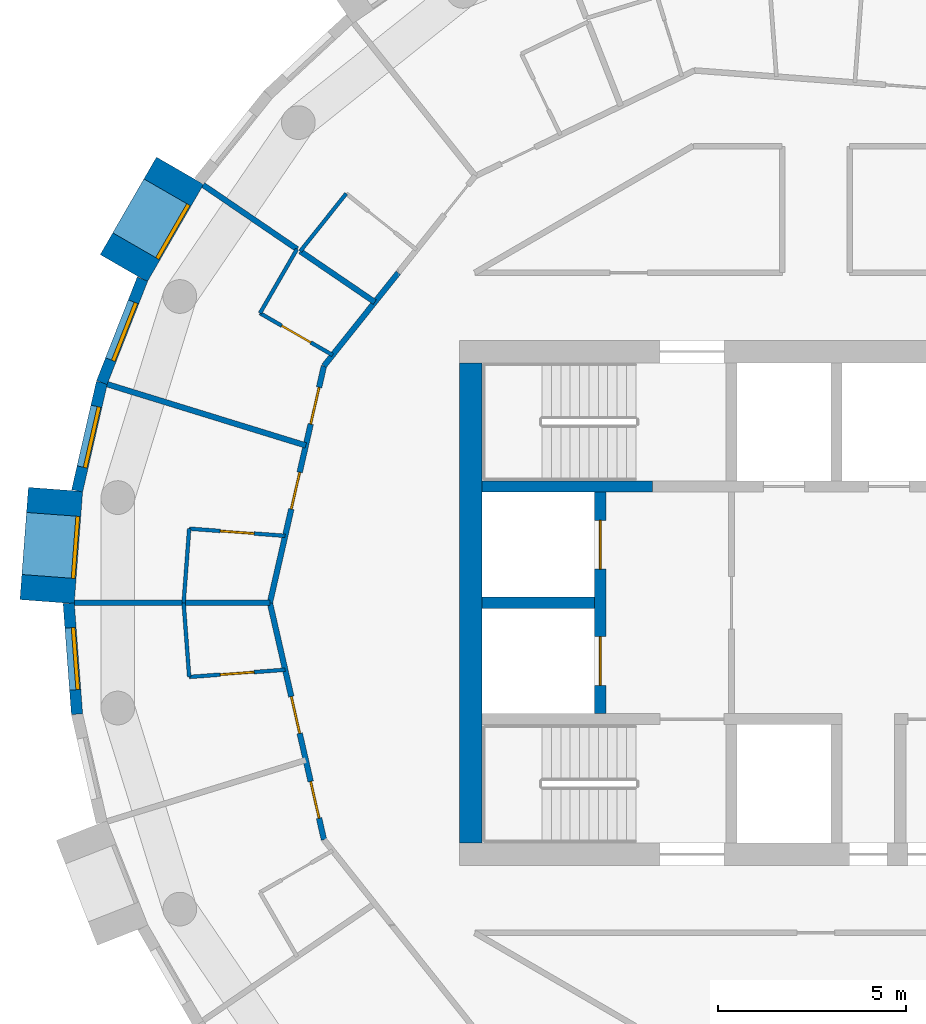
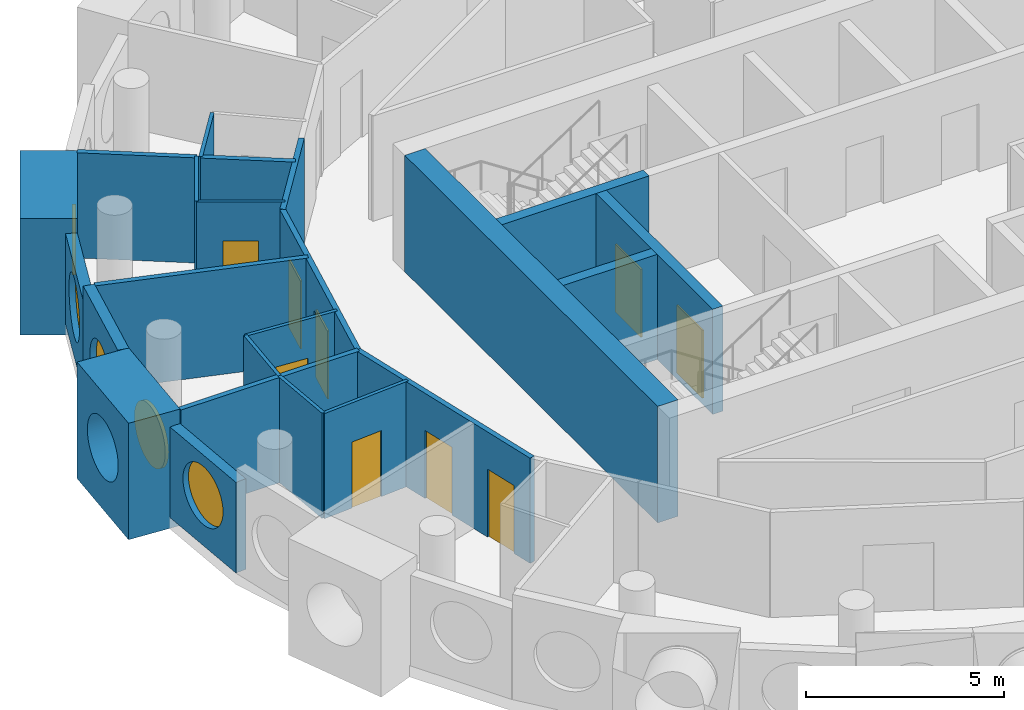
# One storey, part 5 of 12: 23 walls, 9 doors, 5 windows, 14 openings.
"""IFC4 building model written with IfcOpenShell, lengths in metres."""

from ifc_helpers import new_model, si_unit, direction, frame, frame_2d, origin, origin_2d, place, context, subcontext, project, spatial, rectangle, circle, extrude, material, layer, layer_set, type_object, element, fill, save


model = new_model("IFC4")

# Units and contexts
model_context = context("Model", 3, precision=1e-05, world=origin(), true_north=direction((0.0, 1.0)))
body_context = subcontext(model_context, "Body", "Model", "MODEL_VIEW")
ifc_project = project(units=[si_unit("LENGTHUNIT", "METRE"), si_unit("AREAUNIT", "SQUARE_METRE"), si_unit("VOLUMEUNIT", "CUBIC_METRE"), si_unit("PLANEANGLEUNIT", "RADIAN"), si_unit("MASSUNIT", "GRAM", prefix="KILO")], contexts=[model_context])

# Site, building, storey
site_placement = place(None, origin())
site = spatial("IfcSite", under=ifc_project, at=site_placement, CompositionType="ELEMENT")
building_placement = place(site_placement, origin())
building = spatial("IfcBuilding", under=site, at=building_placement, Name="Tracery Tower", CompositionType="ELEMENT")
storey_placement = place(building_placement, frame((0.0, 0.0, 305.39990234375)))
storey = spatial("IfcBuildingStorey", under=building, at=storey_placement, Name="L79", CompositionType="ELEMENT", Elevation=305.39990234375)

# Wall
ifc_material_1 = material(Name="Concrete C40/50", Category="concrete")
ifc_layer_1 = layer(ifc_material_1, 0.60009765625)
ifc_layer_set_1 = layer_set([ifc_layer_1], Name="Core wall 600 C40")
wall_type_1 = type_object("IfcWallType", Name="Core wall 600 C40", PredefinedType="SOLIDWALL", material=ifc_layer_set_1)
wall_1_placement = place(storey_placement, frame((-9.199951171875, -6.39990234375, 0.0), z_axis=(0.0, 0.0, 1.0), x_axis=(0.0, 1.0, 0.0)))
element("IfcWall", 1, at=wall_1_placement, inside=storey, type_object=wall_type_1, Name="L79 outer W", PredefinedType="SOLIDWALL", context=body_context, shape_type="SweptSolid", body=[
    extrude(rectangle(XDim=12.7998046875, YDim=0.60009765625, at=frame_2d((6.39990234375, 0.0))), origin(), (0.0, 0.0, 1.0), 3.60009765625),
])

# Wall, opening, window
ifc_material_2 = material(Name="Precast concrete C50/60", Category="concrete")
ifc_layer_2 = layer(ifc_material_2, 1.449951171875)
ifc_layer_set_2 = layer_set([ifc_layer_2], Name="Deep-set bay unit 3000 x 3600, slab edge 350")
wall_type_2 = type_object("IfcWallType", Name="Deep-set bay unit 3000 x 3600, slab edge 350", PredefinedType="ELEMENTEDWALL", material=ifc_layer_set_2)
wall_2_placement = place(storey_placement, frame((-16.952392578125, 11.51953125, -0.349853515625), z_axis=(0.0, 0.0, 1.0), x_axis=(-0.499990139034, -0.866031096941, 0.0)))
wall_2 = element("IfcWall", 2, at=wall_2_placement, inside=storey, type_object=wall_type_2, Name="Deep-set bay unit 18 at L79", PredefinedType="ELEMENTEDWALL", context=body_context, shape_type="SweptSolid", body=[
    extrude(rectangle(XDim=3.0, YDim=1.449951171875, at=frame_2d((1.5, 0.0))), origin(), (0.0, 0.0, 1.0), 3.599853515625),
])
opening_1_placement = place(wall_2_placement, frame((1.5, 0.0, 1.89990234375)))
opening_1 = element("IfcOpeningElement", 3, at=opening_1_placement, cuts=wall_2, Name="Opening WN1", PredefinedType="OPENING", context=body_context, shape_type="SweptSolid", body=[
    extrude(circle(Radius=0.9000244140625, at=origin_2d()), frame((0.0, 0.73486328125, 0.0), z_axis=(0.0, -1.0, 0.0), x_axis=(1.0, 0.0, 0.0)), (0.0, 0.0, 1.0), 1.469970703125),
])
ifc_material_3 = material(Name="Aluminium frame with tinted double glazing", Category="aluminium")
window_type = type_object("IfcWindowType", Name="Round window 1800", PartitioningType="SINGLE_PANEL", PredefinedType="WINDOW", material=ifc_material_3)
window_1_placement = place(opening_1_placement, origin())
window_1 = element("IfcWindow", 4, at=window_1_placement, inside=storey, type_object=window_type, Name="Round window 18 at L79", OverallHeight=1.800048828125, OverallWidth=1.800048828125, PartitioningType="SINGLE_PANEL", PredefinedType="WINDOW", context=body_context, shape_type="SweptSolid", body=[
    extrude(circle(Radius=0.9000244140625, at=origin_2d()), frame((0.0, 0.69482421875, 0.0), z_axis=(0.0, -1.0, 0.0), x_axis=(1.0, 0.0, 0.0)), (0.0, 0.0, 1.0), 0.10009765625),
])
fill(opening_1, window_1)

wall_3_placement = place(storey_placement, frame((-20.271728515625, 3.0234375, -0.349853515625), z_axis=(0.0, 0.0, 1.0), x_axis=(-0.074785902127, -0.997199613339, 0.0)))
wall_3 = element("IfcWall", 5, at=wall_3_placement, inside=storey, type_object=wall_type_2, Name="Deep-set bay unit 21 at L79", PredefinedType="ELEMENTEDWALL", context=body_context, shape_type="SweptSolid", body=[
    extrude(rectangle(XDim=3.0, YDim=1.449951171875, at=frame_2d((1.5, 0.0))), origin(), (0.0, 0.0, 1.0), 3.599853515625),
])
opening_2_placement = place(wall_3_placement, frame((1.5, 0.0, 1.89990234375)))
opening_2 = element("IfcOpeningElement", 6, at=opening_2_placement, cuts=wall_3, Name="Opening WN1", PredefinedType="OPENING", context=body_context, shape_type="SweptSolid", body=[
    extrude(circle(Radius=0.9000244140625, at=origin_2d()), frame((0.0, 0.73486328125, 0.0), z_axis=(0.0, -1.0, 0.0), x_axis=(1.0, 0.0, 0.0)), (0.0, 0.0, 1.0), 1.469970703125),
])
window_2_placement = place(opening_2_placement, origin())
window_2 = element("IfcWindow", 7, at=window_2_placement, inside=storey, type_object=window_type, Name="Round window 21 at L79", OverallHeight=1.800048828125, OverallWidth=1.800048828125, PartitioningType="SINGLE_PANEL", PredefinedType="WINDOW", context=body_context, shape_type="SweptSolid", body=[
    extrude(circle(Radius=0.9000244140625, at=origin_2d()), frame((0.0, 0.69482421875, 0.0), z_axis=(0.0, -1.0, 0.0), x_axis=(1.0, 0.0, 0.0)), (0.0, 0.0, 1.0), 0.10009765625),
])
fill(opening_2, window_2)

ifc_material_4 = material(Name="Precast concrete C50/60", Category="concrete")
ifc_layer_3 = layer(ifc_material_4, 0.300048828125)
ifc_layer_set_3 = layer_set([ifc_layer_3], Name="Facade panel 3000 x 2800")
wall_type_3 = type_object("IfcWallType", Name="Facade panel 3000 x 2800", PredefinedType="SOLIDWALL", material=ifc_layer_set_3)
wall_4_placement = place(storey_placement, frame((-17.95458984375, 8.62939453125, 0.0), z_axis=(0.0, 0.0, 1.0), x_axis=(-0.36530043032, -0.930889679612, 0.0)))
wall_4 = element("IfcWall", 8, at=wall_4_placement, inside=storey, type_object=wall_type_3, Name="Facade panel 19 at L79", PredefinedType="SOLIDWALL", context=body_context, shape_type="SweptSolid", body=[
    extrude(rectangle(XDim=2.9619140625, YDim=0.300048828125, at=frame_2d((1.48095703125, 0.0))), origin(), (0.0, 0.0, 1.0), 2.800048828125),
])
opening_3_placement = place(wall_4_placement, frame((1.48095703125, 0.0, 1.5498046875)))
opening_3 = element("IfcOpeningElement", 9, at=opening_3_placement, cuts=wall_4, Name="Opening WN1", PredefinedType="OPENING", context=body_context, shape_type="SweptSolid", body=[
    extrude(circle(Radius=0.9000244140625, at=origin_2d()), frame((0.0, 0.159912109375, 0.0), z_axis=(0.0, -1.0, 0.0), x_axis=(1.0, 0.0, 0.0)), (0.0, 0.0, 1.0), 0.320068359375),
])
window_3_placement = place(opening_3_placement, origin())
window_3 = element("IfcWindow", 10, at=window_3_placement, inside=storey, type_object=window_type, Name="Round window 19 at L79", OverallHeight=1.800048828125, OverallWidth=1.800048828125, PartitioningType="SINGLE_PANEL", PredefinedType="WINDOW", context=body_context, shape_type="SweptSolid", body=[
    extrude(circle(Radius=0.9000244140625, at=origin_2d()), frame((0.0, 0.1201171875, 0.0), z_axis=(0.0, -1.0, 0.0), x_axis=(1.0, 0.0, 0.0)), (0.0, 0.0, 1.0), 0.10009765625),
])
fill(opening_3, window_3)

wall_5_placement = place(storey_placement, frame((-19.920654296875, -0.01513671875, 0.0), z_axis=(0.0, 0.0, 1.0), x_axis=(0.07474897196, -0.997202382263, 0.0)))
wall_5 = element("IfcWall", 11, at=wall_5_placement, inside=storey, type_object=wall_type_3, Name="Facade panel 22 at L79", PredefinedType="SOLIDWALL", context=body_context, shape_type="SweptSolid", body=[
    extrude(rectangle(XDim=2.96240234375, YDim=0.300048828125, at=frame_2d((1.481201171875, 0.0))), origin(), (0.0, 0.0, 1.0), 2.800048828125),
])
opening_4_placement = place(wall_5_placement, frame((1.48095703125, 0.0, 1.5498046875)))
opening_4 = element("IfcOpeningElement", 12, at=opening_4_placement, cuts=wall_5, Name="Opening WN1", PredefinedType="OPENING", context=body_context, shape_type="SweptSolid", body=[
    extrude(circle(Radius=0.9000244140625, at=origin_2d()), frame((0.0, 0.159912109375, 0.0), z_axis=(0.0, -1.0, 0.0), x_axis=(1.0, 0.0, 0.0)), (0.0, 0.0, 1.0), 0.320068359375),
])
window_4_placement = place(opening_4_placement, origin())
window_4 = element("IfcWindow", 13, at=window_4_placement, inside=storey, type_object=window_type, Name="Round window 22 at L79", OverallHeight=1.800048828125, OverallWidth=1.800048828125, PartitioningType="SINGLE_PANEL", PredefinedType="WINDOW", context=body_context, shape_type="SweptSolid", body=[
    extrude(circle(Radius=0.9000244140625, at=origin_2d()), frame((0.0, 0.1201171875, 0.0), z_axis=(0.0, -1.0, 0.0), x_axis=(1.0, 0.0, 0.0)), (0.0, 0.0, 1.0), 0.10009765625),
])
fill(opening_4, window_4)

ifc_material_5 = material(Name="Precast concrete C50/60", Category="concrete")
ifc_layer_4 = layer(ifc_material_5, 0.300048828125)
ifc_layer_set_4 = layer_set([ifc_layer_4], Name="Facade panel 3000 x 3250")
wall_type_4 = type_object("IfcWallType", Name="Facade panel 3000 x 3250", PredefinedType="SOLIDWALL", material=ifc_layer_set_4)
wall_6_placement = place(storey_placement, frame((-19.03662109375, 5.8720703125, 0.0), z_axis=(0.0, 0.0, 1.0), x_axis=(-0.222529389789, -0.974925982155, 0.0)))
wall_6 = element("IfcWall", 14, at=wall_6_placement, inside=storey, type_object=wall_type_4, Name="Facade panel 20 at L79", PredefinedType="SOLIDWALL", context=body_context, shape_type="SweptSolid", body=[
    extrude(rectangle(XDim=2.962158203125, YDim=0.300048828125, at=frame_2d((1.48095703125, 0.0))), origin(), (0.0, 0.0, 1.0), 3.25),
])
opening_5_placement = place(wall_6_placement, frame((1.48095703125, 0.0, 1.5498046875)))
opening_5 = element("IfcOpeningElement", 15, at=opening_5_placement, cuts=wall_6, Name="Opening WN1", PredefinedType="OPENING", context=body_context, shape_type="SweptSolid", body=[
    extrude(circle(Radius=0.9000244140625, at=origin_2d()), frame((0.0, 0.159912109375, 0.0), z_axis=(0.0, -1.0, 0.0), x_axis=(1.0, 0.0, 0.0)), (0.0, 0.0, 1.0), 0.320068359375),
])
window_5_placement = place(opening_5_placement, origin())
window_5 = element("IfcWindow", 16, at=window_5_placement, inside=storey, type_object=window_type, Name="Round window 20 at L79", OverallHeight=1.800048828125, OverallWidth=1.800048828125, PartitioningType="SINGLE_PANEL", PredefinedType="WINDOW", context=body_context, shape_type="SweptSolid", body=[
    extrude(circle(Radius=0.9000244140625, at=origin_2d()), frame((0.0, 0.1201171875, 0.0), z_axis=(0.0, -1.0, 0.0), x_axis=(1.0, 0.0, 0.0)), (0.0, 0.0, 1.0), 0.10009765625),
])
fill(opening_5, window_5)

# Walls
ifc_material_6 = material(Name="Plasterboard on steel studs", Category="steel")
ifc_layer_5 = layer(ifc_material_6, 0.10009765625)
ifc_layer_set_5 = layer_set([ifc_layer_5], Name="Partition 100 wet wall")
wall_type_5 = type_object("IfcWallType", Name="Partition 100 wet wall", PredefinedType="PARTITIONING", material=ifc_layer_set_5)
wall_7_placement = place(storey_placement, frame((-13.7470703125, 9.373046875, 0.0), z_axis=(0.0, 0.0, 1.0), x_axis=(0.623330716607, 0.781958322249, 0.0)))
element("IfcWall", 17, at=wall_7_placement, inside=storey, type_object=wall_type_5, Name="Wet wall RC8-070", PredefinedType="PARTITIONING", context=body_context, shape_type="SweptSolid", body=[
    extrude(rectangle(XDim=1.96533203125, YDim=0.10009765625, at=frame_2d((0.982666015625, 0.0))), origin(), (0.0, 0.0, 1.0), 3.25),
])
wall_8_placement = place(storey_placement, frame((-14.820068359375, 7.721923828125, 0.0), z_axis=(0.0, 0.0, 1.0), x_axis=(0.500143626598, 0.865942465048, 0.0)))
element("IfcWall", 18, at=wall_8_placement, inside=storey, type_object=wall_type_5, Name="Wet wall RC8-073", PredefinedType="PARTITIONING", context=body_context, shape_type="SweptSolid", body=[
    extrude(rectangle(XDim=1.9736328125, YDim=0.10009765625, at=frame_2d((0.98681640625, 0.0))), origin(), (0.0, 0.0, 1.0), 3.25),
])

# Wall, opening, door
wall_9_placement = place(storey_placement, frame((-14.820068359375, 7.721923828125, 0.0), z_axis=(0.0, 0.0, 1.0), x_axis=(0.866076416361, -0.499911633214, 0.0)))
wall_9 = element("IfcWall", 19, at=wall_9_placement, inside=storey, type_object=wall_type_5, Name="Wet wall RC8-074", PredefinedType="PARTITIONING", context=body_context, shape_type="SweptSolid", body=[
    extrude(rectangle(XDim=2.234375, YDim=0.10009765625, at=frame_2d((1.1171875, 0.0))), origin(), (0.0, 0.0, 1.0), 3.25),
])
opening_6_placement = place(wall_9_placement, frame((0.6669921875, 0.0, 0.0)))
opening_6 = element("IfcOpeningElement", 20, at=opening_6_placement, cuts=wall_9, Name="Opening RC8-21", PredefinedType="OPENING", context=body_context, shape_type="SweptSolid", body=[
    extrude(rectangle(XDim=0.89990234375, YDim=2.0400390625, at=frame_2d((0.449951171875, 1.02001953125))), frame((0.0, 0.050048828125, 0.0), z_axis=(0.0, -1.0, 0.0), x_axis=(1.0, 0.0, 0.0)), (0.0, 0.0, 1.0), 0.10009765625),
])
ifc_material_7 = material(Name="Timber door leaf", Category="wood")
door_type_1 = type_object("IfcDoorType", Name="Door en-suite 900", OperationType="NOTDEFINED", PredefinedType="DOOR", material=ifc_material_7)
door_1_placement = place(opening_6_placement, origin())
door_1 = element("IfcDoor", 21, at=door_1_placement, inside=storey, type_object=door_type_1, Name="En-suite door RC8-21", OperationType="SINGLE_SWING_LEFT", OverallHeight=2.0400390625, OverallWidth=0.89990234375, PredefinedType="DOOR", context=body_context, shape_type="SweptSolid", body=[
    extrude(rectangle(XDim=0.89990234375, YDim=2.0400390625, at=frame_2d((0.449951171875, 1.02001953125))), frame((0.0, 0.02490234375, 0.0), z_axis=(0.0, -1.0, 0.0), x_axis=(1.0, 0.0, 0.0)), (0.0, 0.0, 1.0), 0.050048828125),
])
fill(opening_6, door_1)

wall_10_placement = place(storey_placement, frame((-16.7080078125, 1.97705078125, 0.0), z_axis=(0.0, 0.0, 1.0), x_axis=(0.997193275785, -0.074870359477, 0.0)))
wall_10 = element("IfcWall", 22, at=wall_10_placement, inside=storey, type_object=wall_type_5, Name="Wet wall RC8-076", PredefinedType="PARTITIONING", context=body_context, shape_type="SweptSolid", body=[
    extrude(rectangle(XDim=2.56640625, YDim=0.10009765625, at=frame_2d((1.283203125, 0.0))), origin(), (0.0, 0.0, 1.0), 3.25),
])
opening_7_placement = place(wall_10_placement, frame((0.833251953125, 0.0, 0.0)))
opening_7 = element("IfcOpeningElement", 23, at=opening_7_placement, cuts=wall_10, Name="Opening RC8-23", PredefinedType="OPENING", context=body_context, shape_type="SweptSolid", body=[
    extrude(rectangle(XDim=0.89990234375, YDim=2.0400390625, at=frame_2d((0.449951171875, 1.02001953125))), frame((0.0, 0.050048828125, 0.0), z_axis=(0.0, -1.0, 0.0), x_axis=(1.0, 0.0, 0.0)), (0.0, 0.0, 1.0), 0.10009765625),
])
door_2_placement = place(opening_7_placement, origin())
door_2 = element("IfcDoor", 24, at=door_2_placement, inside=storey, type_object=door_type_1, Name="En-suite door RC8-23", OperationType="SINGLE_SWING_LEFT", OverallHeight=2.0400390625, OverallWidth=0.89990234375, PredefinedType="DOOR", context=body_context, shape_type="SweptSolid", body=[
    extrude(rectangle(XDim=0.89990234375, YDim=2.0400390625, at=frame_2d((0.449951171875, 1.02001953125))), frame((0.0, 0.02490234375, 0.0), z_axis=(0.0, -1.0, 0.0), x_axis=(1.0, 0.0, 0.0)), (0.0, 0.0, 1.0), 0.050048828125),
])
fill(opening_7, door_2)

# Walls
for number, where, z_axis, x_axis, name in (
    (25, (-16.85595703125, 0.0, 0.0), (0.0, 0.0, 1.0), (0.074624634103, 0.997211694669, 0.0), "Wet wall RC8-077"),
    (26, (-16.85595703125, 0.0, 0.0), (0.0, 0.0, 1.0), (0.074624634103, -0.997211694669, 0.0), "Wet wall RC8-079"),
):
    element("IfcWall", number, at=place(storey_placement, frame(where, z_axis=z_axis, x_axis=x_axis)), inside=storey, type_object=wall_type_5, Name=name, PredefinedType="PARTITIONING", context=body_context, shape_type="SweptSolid", body=[
        extrude(rectangle(XDim=1.982666015625, YDim=0.10009765625, at=frame_2d((0.9912109375, 0.0))), origin(), (0.0, 0.0, 1.0), 3.25),
    ])

# Wall, opening, door
wall_11_placement = place(storey_placement, frame((-16.7080078125, -1.97705078125, 0.0), z_axis=(0.0, 0.0, 1.0), x_axis=(0.997193275785, 0.074870359477, 0.0)))
wall_11 = element("IfcWall", 27, at=wall_11_placement, inside=storey, type_object=wall_type_5, Name="Wet wall RC8-080", PredefinedType="PARTITIONING", context=body_context, shape_type="SweptSolid", body=[
    extrude(rectangle(XDim=2.56640625, YDim=0.10009765625, at=frame_2d((1.283203125, 0.0))), origin(), (0.0, 0.0, 1.0), 3.25),
])
opening_8_placement = place(wall_11_placement, frame((0.8330078125, 0.0, 0.0)))
opening_8 = element("IfcOpeningElement", 28, at=opening_8_placement, cuts=wall_11, Name="Opening RC8-25", PredefinedType="OPENING", context=body_context, shape_type="SweptSolid", body=[
    extrude(rectangle(XDim=0.89990234375, YDim=2.0400390625, at=frame_2d((0.449951171875, 1.02001953125))), frame((0.0, 0.050048828125, 0.0), z_axis=(0.0, -1.0, 0.0), x_axis=(1.0, 0.0, 0.0)), (0.0, 0.0, 1.0), 0.10009765625),
])
door_3_placement = place(opening_8_placement, origin())
door_3 = element("IfcDoor", 29, at=door_3_placement, inside=storey, type_object=door_type_1, Name="En-suite door RC8-25", OperationType="SINGLE_SWING_LEFT", OverallHeight=2.0400390625, OverallWidth=0.89990234375, PredefinedType="DOOR", context=body_context, shape_type="SweptSolid", body=[
    extrude(rectangle(XDim=0.89990234375, YDim=2.0400390625, at=frame_2d((0.449951171875, 1.02001953125))), frame((0.0, 0.02490234375, 0.0), z_axis=(0.0, -1.0, 0.0), x_axis=(1.0, 0.0, 0.0)), (0.0, 0.0, 1.0), 0.050048828125),
])
fill(opening_8, door_3)

# Walls
ifc_material_8 = material(Name="Plasterboard on steel studs", Category="steel")
ifc_layer_6 = layer(ifc_material_8, 0.14990234375)
ifc_layer_set_6 = layer_set([ifc_layer_6], Name="Partition 150 acoustic unit wall")
wall_type_6 = type_object("IfcWallType", Name="Partition 150 acoustic unit wall", PredefinedType="PARTITIONING", material=ifc_layer_set_6)
wall_12_placement = place(storey_placement, frame((-16.3359375, 11.137939453125, 0.0), z_axis=(0.0, 0.0, 1.0), x_axis=(0.826159220299, -0.563436724678, 0.0)))
element("IfcWall", 30, at=wall_12_placement, inside=storey, type_object=wall_type_6, Name="Unit wall RC8-071", PredefinedType="PARTITIONING", context=body_context, shape_type="SweptSolid", body=[
    extrude(rectangle(XDim=3.033203125, YDim=0.14990234375, at=frame_2d((1.5166015625, 0.0))), origin(), (0.0, 0.0, 1.0), 3.25),
])
wall_13_placement = place(storey_placement, frame((-13.7470703125, 9.373046875, 0.0), z_axis=(0.0, 0.0, 1.0), x_axis=(0.826135036312, -0.563472183677, 0.0)))
element("IfcWall", 31, at=wall_13_placement, inside=storey, type_object=wall_type_6, Name="Unit wall RC8-072", PredefinedType="PARTITIONING", context=body_context, shape_type="SweptSolid", body=[
    extrude(rectangle(XDim=2.406494140625, YDim=0.14990234375, at=frame_2d((1.203125, 0.0))), origin(), (0.0, 0.0, 1.0), 3.25),
])
wall_14_placement = place(storey_placement, frame((-18.89306640625, 5.827880859375, 0.0), z_axis=(0.0, 0.0, 1.0), x_axis=(0.955580602693, -0.294729896274, 0.0)))
element("IfcWall", 32, at=wall_14_placement, inside=storey, type_object=wall_type_6, Name="Unit wall RC8-075", PredefinedType="PARTITIONING", context=body_context, shape_type="SweptSolid", body=[
    extrude(rectangle(XDim=5.5400390625, YDim=0.14990234375, at=frame_2d((2.77001953125, 0.0))), origin(), (0.0, 0.0, 1.0), 3.25),
])
wall_15_placement = place(storey_placement, frame((-19.77099609375, 0.0, 0.0), z_axis=(0.0, 0.0, 1.0), x_axis=(1.0, 0.0, 0.0)))
element("IfcWall", 33, at=wall_15_placement, inside=storey, type_object=wall_type_6, Name="Unit wall RC8-078", PredefinedType="PARTITIONING", context=body_context, shape_type="SweptSolid", body=[
    extrude(rectangle(XDim=5.214111328125, YDim=0.14990234375, at=frame_2d((2.60693359375, 0.0))), origin(), (0.0, 0.0, 1.0), 3.25),
])
ifc_material_9 = material(Name="Plasterboard on steel studs", Category="steel")
ifc_layer_7 = layer(ifc_material_9, 0.14990234375)
ifc_layer_set_7 = layer_set([ifc_layer_7], Name="Partition 150 corridor wall")
wall_type_7 = type_object("IfcWallType", Name="Partition 150 corridor wall", PredefinedType="PARTITIONING", material=ifc_layer_set_7)
wall_16_placement = place(storey_placement, frame((-13.115234375, 6.316162109375, 0.0), z_axis=(0.0, 0.0, 1.0), x_axis=(0.623560523309, 0.781775078761, 0.0)))
element("IfcWall", 34, at=wall_16_placement, inside=storey, type_object=wall_type_7, Name="Corridor wall RC8-033", PredefinedType="PARTITIONING", context=body_context, shape_type="SweptSolid", body=[
    extrude(rectangle(XDim=3.17724609375, YDim=0.14990234375, at=frame_2d((1.588623046875, 0.0))), origin(), (0.0, 0.0, 1.0), 3.25),
])

# Wall, openings, doors
wall_17_placement = place(storey_placement, frame((-14.556640625, 0.0, 0.0), z_axis=(0.0, 0.0, 1.0), x_axis=(0.222533159771, 0.974925121639, 0.0)))
wall_17 = element("IfcWall", 35, at=wall_17_placement, inside=storey, type_object=wall_type_7, Name="Corridor wall RC8-034", PredefinedType="PARTITIONING", context=body_context, shape_type="SweptSolid", body=[
    extrude(rectangle(XDim=6.478271484375, YDim=0.14990234375, at=frame_2d((3.2392578125, 0.0))), origin(), (0.0, 0.0, 1.0), 3.25),
])
opening_9_placement = place(wall_17_placement, frame((4.888916015625, 0.0, 0.0)))
opening_9 = element("IfcOpeningElement", 36, at=opening_9_placement, cuts=wall_17, Name="Opening RC8-22", PredefinedType="OPENING", context=body_context, shape_type="SweptSolid", body=[
    extrude(rectangle(XDim=1.0, YDim=2.10009765625, at=frame_2d((0.5, 1.050048828125))), frame((0.0, 0.074951171875, 0.0), z_axis=(0.0, -1.0, 0.0), x_axis=(1.0, 0.0, 0.0)), (0.0, 0.0, 1.0), 0.14990234375),
])
opening_10_placement = place(wall_17_placement, frame((2.56689453125, 0.0, 0.0)))
opening_10 = element("IfcOpeningElement", 37, at=opening_10_placement, cuts=wall_17, Name="Opening RC8-24", PredefinedType="OPENING", context=body_context, shape_type="SweptSolid", body=[
    extrude(rectangle(XDim=1.0, YDim=2.10009765625, at=frame_2d((0.5, 1.050048828125))), frame((0.0, 0.074951171875, 0.0), z_axis=(0.0, -1.0, 0.0), x_axis=(1.0, 0.0, 0.0)), (0.0, 0.0, 1.0), 0.14990234375),
])
ifc_material_10 = material(Name="Timber door leaf", Category="wood")
door_type_2 = type_object("IfcDoorType", Name="Door unit entrance 1000", OperationType="NOTDEFINED", PredefinedType="DOOR", material=ifc_material_10)
door_4_placement = place(opening_9_placement, origin())
door_4 = element("IfcDoor", 38, at=door_4_placement, inside=storey, type_object=door_type_2, Name="Unit entrance door RC8-22", OperationType="SINGLE_SWING_RIGHT", OverallHeight=2.10009765625, OverallWidth=1.0, PredefinedType="DOOR", context=body_context, shape_type="SweptSolid", body=[
    extrude(rectangle(XDim=1.0, YDim=2.10009765625, at=frame_2d((0.5, 1.050048828125))), frame((0.0, 0.02490234375, 0.0), z_axis=(0.0, -1.0, 0.0), x_axis=(1.0, 0.0, 0.0)), (0.0, 0.0, 1.0), 0.050048828125),
])
fill(opening_9, door_4)
door_5_placement = place(opening_10_placement, origin())
door_5 = element("IfcDoor", 39, at=door_5_placement, inside=storey, type_object=door_type_2, Name="Unit entrance door RC8-24", OperationType="SINGLE_SWING_LEFT", OverallHeight=2.10009765625, OverallWidth=1.0, PredefinedType="DOOR", context=body_context, shape_type="SweptSolid", body=[
    extrude(rectangle(XDim=1.0, YDim=2.10009765625, at=frame_2d((0.5, 1.050048828125))), frame((0.0, 0.02490234375, 0.0), z_axis=(0.0, -1.0, 0.0), x_axis=(1.0, 0.0, 0.0)), (0.0, 0.0, 1.0), 0.050048828125),
])
fill(opening_10, door_5)

wall_18_placement = place(storey_placement, frame((-14.556640625, 0.0, 0.0), z_axis=(0.0, 0.0, 1.0), x_axis=(0.222568978642, -0.97491694505, 0.0)))
wall_18 = element("IfcWall", 40, at=wall_18_placement, inside=storey, type_object=wall_type_7, Name="Corridor wall RC8-035", PredefinedType="PARTITIONING", context=body_context, shape_type="SweptSolid", body=[
    extrude(rectangle(XDim=6.478515625, YDim=0.14990234375, at=frame_2d((3.2392578125, 0.0))), origin(), (0.0, 0.0, 1.0), 3.25),
])
opening_11_placement = place(wall_18_placement, frame((2.567138671875, 0.0, 0.0)))
opening_11 = element("IfcOpeningElement", 41, at=opening_11_placement, cuts=wall_18, Name="Opening RC8-26", PredefinedType="OPENING", context=body_context, shape_type="SweptSolid", body=[
    extrude(rectangle(XDim=1.0, YDim=2.10009765625, at=frame_2d((0.5, 1.050048828125))), frame((0.0, 0.074951171875, 0.0), z_axis=(0.0, -1.0, 0.0), x_axis=(1.0, 0.0, 0.0)), (0.0, 0.0, 1.0), 0.14990234375),
])
opening_12_placement = place(wall_18_placement, frame((4.888427734375, 0.0, 0.0)))
opening_12 = element("IfcOpeningElement", 42, at=opening_12_placement, cuts=wall_18, Name="Opening RC8-28", PredefinedType="OPENING", context=body_context, shape_type="SweptSolid", body=[
    extrude(rectangle(XDim=1.0, YDim=2.10009765625, at=frame_2d((0.5, 1.050048828125))), frame((0.0, 0.074951171875, 0.0), z_axis=(0.0, -1.0, 0.0), x_axis=(1.0, 0.0, 0.0)), (0.0, 0.0, 1.0), 0.14990234375),
])
door_6_placement = place(opening_11_placement, origin())
door_6 = element("IfcDoor", 43, at=door_6_placement, inside=storey, type_object=door_type_2, Name="Unit entrance door RC8-26", OperationType="SINGLE_SWING_LEFT", OverallHeight=2.10009765625, OverallWidth=1.0, PredefinedType="DOOR", context=body_context, shape_type="SweptSolid", body=[
    extrude(rectangle(XDim=1.0, YDim=2.10009765625, at=frame_2d((0.5, 1.050048828125))), frame((0.0, 0.02490234375, 0.0), z_axis=(0.0, -1.0, 0.0), x_axis=(1.0, 0.0, 0.0)), (0.0, 0.0, 1.0), 0.050048828125),
])
fill(opening_11, door_6)
door_7_placement = place(opening_12_placement, origin())
door_7 = element("IfcDoor", 44, at=door_7_placement, inside=storey, type_object=door_type_2, Name="Unit entrance door RC8-28", OperationType="SINGLE_SWING_RIGHT", OverallHeight=2.10009765625, OverallWidth=1.0, PredefinedType="DOOR", context=body_context, shape_type="SweptSolid", body=[
    extrude(rectangle(XDim=1.0, YDim=2.10009765625, at=frame_2d((0.5, 1.050048828125))), frame((0.0, 0.02490234375, 0.0), z_axis=(0.0, -1.0, 0.0), x_axis=(1.0, 0.0, 0.0)), (0.0, 0.0, 1.0), 0.050048828125),
])
fill(opening_12, door_7)

# Wall
ifc_material_11 = material(Name="Concrete C40/50", Category="concrete")
ifc_layer_8 = layer(ifc_material_11, 0.300048828125)
ifc_layer_set_8 = layer_set([ifc_layer_8], Name="Shaft wall 300 C40")
wall_type_8 = type_object("IfcWallType", Name="Shaft wall 300 C40", PredefinedType="SOLIDWALL", material=ifc_layer_set_8)
wall_19_placement = place(storey_placement, frame((-8.89990234375, 0.0, 0.0), z_axis=(0.0, 0.0, 1.0), x_axis=(1.0, 0.0, 0.0)))
element("IfcWall", 45, at=wall_19_placement, inside=storey, type_object=wall_type_8, Name="L79 FF split", PredefinedType="SOLIDWALL", context=body_context, shape_type="SweptSolid", body=[
    extrude(rectangle(XDim=3.0, YDim=0.300048828125, at=frame_2d((1.5, 0.0))), origin(), (0.0, 0.0, 1.0), 3.25),
])

# Wall, openings, doors
wall_20_placement = place(storey_placement, frame((-5.75, -2.949951171875, 0.0), z_axis=(0.0, 0.0, 1.0), x_axis=(0.0, 1.0, 0.0)))
wall_20 = element("IfcWall", 46, at=wall_20_placement, inside=storey, type_object=wall_type_8, Name="L79 FF doors", PredefinedType="SOLIDWALL", context=body_context, shape_type="SweptSolid", body=[
    extrude(rectangle(XDim=5.89990234375, YDim=0.300048828125, at=frame_2d((2.949951171875, 0.0))), origin(), (0.0, 0.0, 1.0), 3.25),
])
opening_13_placement = place(wall_20_placement, frame((0.75, 0.0, 0.0)))
opening_13 = element("IfcOpeningElement", 47, at=opening_13_placement, cuts=wall_20, Name="Opening KD54", PredefinedType="OPENING", context=body_context, shape_type="SweptSolid", body=[
    extrude(rectangle(XDim=1.300048828125, YDim=2.10009765625, at=frame_2d((0.64990234375, 1.050048828125))), frame((0.0, 0.14990234375, 0.0), z_axis=(0.0, -1.0, 0.0), x_axis=(1.0, 0.0, 0.0)), (0.0, 0.0, 1.0), 0.300048828125),
])
opening_14_placement = place(wall_20_placement, frame((3.85009765625, 0.0, 0.0)))
opening_14 = element("IfcOpeningElement", 48, at=opening_14_placement, cuts=wall_20, Name="Opening KD55", PredefinedType="OPENING", context=body_context, shape_type="SweptSolid", body=[
    extrude(rectangle(XDim=1.300048828125, YDim=2.10009765625, at=frame_2d((0.64990234375, 1.050048828125))), frame((0.0, 0.14990234375, 0.0), z_axis=(0.0, -1.0, 0.0), x_axis=(1.0, 0.0, 0.0)), (0.0, 0.0, 1.0), 0.300048828125),
])
ifc_material_12 = material(Name="Steel fire door", Category="steel")
door_type_3 = type_object("IfcDoorType", Name="Landing door FF 1300", OperationType="NOTDEFINED", PredefinedType="DOOR", material=ifc_material_12)
door_8_placement = place(opening_13_placement, origin())
door_8 = element("IfcDoor", 49, at=door_8_placement, inside=storey, type_object=door_type_3, Name="Landing door FF1", OperationType="SLIDING_TO_LEFT", OverallHeight=2.10009765625, OverallWidth=1.300048828125, PredefinedType="DOOR", context=body_context, shape_type="SweptSolid", body=[
    extrude(rectangle(XDim=1.300048828125, YDim=2.10009765625, at=frame_2d((0.64990234375, 1.050048828125))), frame((0.0, 0.02490234375, 0.0), z_axis=(0.0, -1.0, 0.0), x_axis=(1.0, 0.0, 0.0)), (0.0, 0.0, 1.0), 0.050048828125),
])
fill(opening_13, door_8)
door_9_placement = place(opening_14_placement, origin())
door_9 = element("IfcDoor", 50, at=door_9_placement, inside=storey, type_object=door_type_3, Name="Landing door FF2", OperationType="SLIDING_TO_RIGHT", OverallHeight=2.10009765625, OverallWidth=1.300048828125, PredefinedType="DOOR", context=body_context, shape_type="SweptSolid", body=[
    extrude(rectangle(XDim=1.300048828125, YDim=2.10009765625, at=frame_2d((0.64990234375, 1.050048828125))), frame((0.0, 0.02490234375, 0.0), z_axis=(0.0, -1.0, 0.0), x_axis=(1.0, 0.0, 0.0)), (0.0, 0.0, 1.0), 0.050048828125),
])
fill(opening_14, door_9)

# Wall
ifc_material_13 = material(Name="Concrete C40/50", Category="concrete")
ifc_layer_9 = layer(ifc_material_13, 0.300048828125)
ifc_layer_set_9 = layer_set([ifc_layer_9], Name="Stair wall 300 C40")
wall_type_9 = type_object("IfcWallType", Name="Stair wall 300 C40", PredefinedType="SOLIDWALL", material=ifc_layer_set_9)
wall_21_placement = place(storey_placement, frame((-8.89990234375, 3.10009765625, 0.0), z_axis=(0.0, 0.0, 1.0), x_axis=(1.0, 0.0, 0.0)))
element("IfcWall", 51, at=wall_21_placement, inside=storey, type_object=wall_type_9, Name="L79 row N W", PredefinedType="SOLIDWALL", context=body_context, shape_type="SweptSolid", body=[
    extrude(rectangle(XDim=4.5498046875, YDim=0.300048828125, at=frame_2d((2.27490234375, 0.0))), origin(), (0.0, 0.0, 1.0), 3.25),
])

save(model, "model.ifc")
